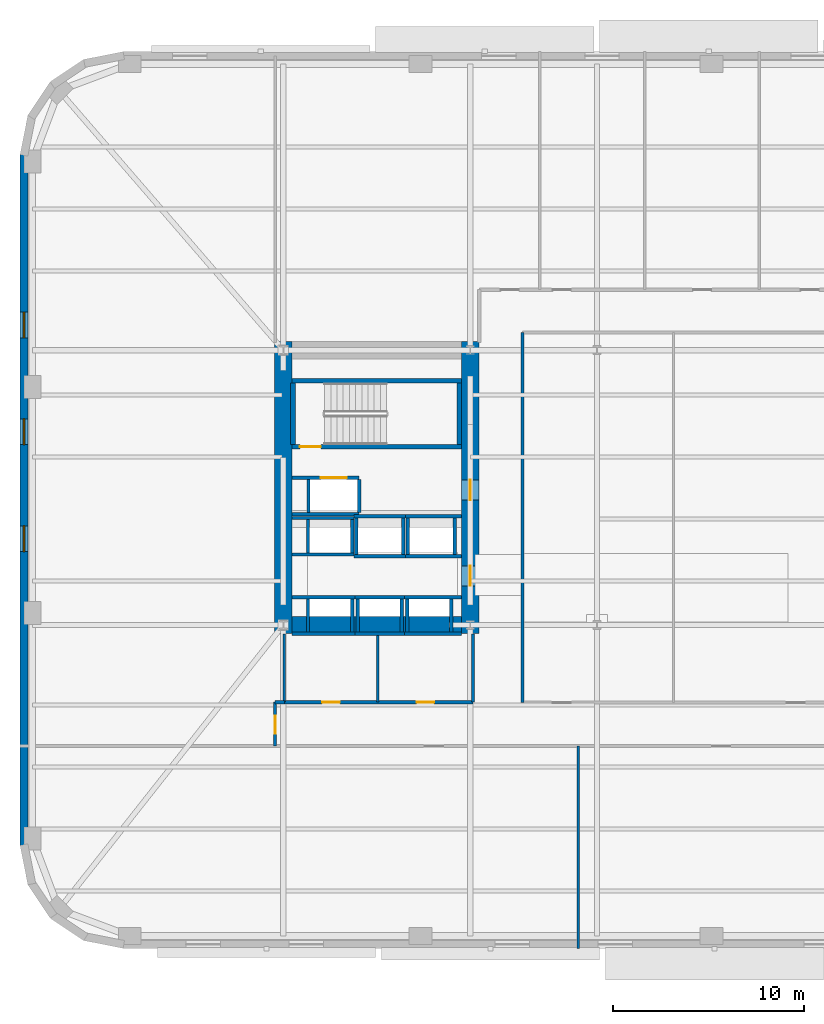
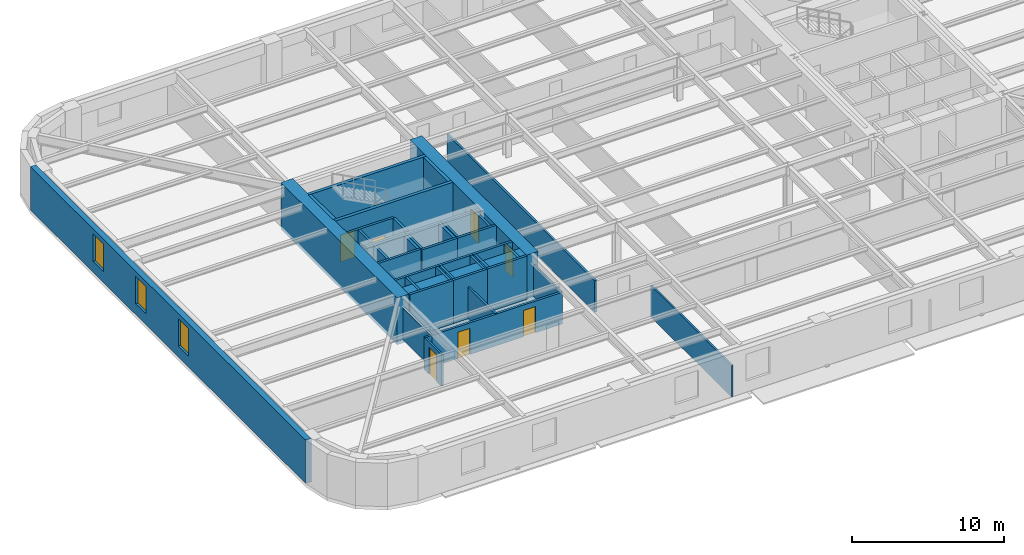
# One storey, part 4 of 14: 44 walls, 7 doors, 3 windows, 10 openings.
"""IFC4 building model written with IfcOpenShell, lengths in metres."""

from ifc_helpers import new_model, si_unit, direction, frame, frame_2d, origin, place, context, subcontext, project, spatial, rectangle, extrude, material, layer, layer_set, type_object, element, fill, save


model = new_model("IFC4")

# Units and contexts
model_context = context("Model", 3, precision=1e-05, world=origin(), true_north=direction((0.0, 1.0)))
body_context = subcontext(model_context, "Body", "Model", "MODEL_VIEW")
ifc_project = project(units=[si_unit("LENGTHUNIT", "METRE"), si_unit("AREAUNIT", "SQUARE_METRE"), si_unit("VOLUMEUNIT", "CUBIC_METRE"), si_unit("PLANEANGLEUNIT", "RADIAN"), si_unit("MASSUNIT", "GRAM", prefix="KILO")], contexts=[model_context])

# Site, building, storey
site_placement = place(None, origin())
site = spatial("IfcSite", under=ifc_project, at=site_placement, CompositionType="ELEMENT")
building_placement = place(site_placement, origin())
building = spatial("IfcBuilding", under=site, at=building_placement, Name="Kolvaren Arena Tower", CompositionType="ELEMENT")
storey_placement = place(building_placement, frame((0.0, 0.0, 53.25)))
storey = spatial("IfcBuildingStorey", under=building, at=storey_placement, Name="L10", CompositionType="ELEMENT", Elevation=53.25)

# Wall
ifc_material_1 = material(Name="Gypsum board acoustic assembly", Category="gypsum")
ifc_layer_1 = layer(ifc_material_1, 0.159912109375)
ifc_layer_set_1 = layer_set([ifc_layer_1], Name="Gypsum board acoustic assembly")
wall_type_1 = type_object("IfcWallType", Name="CORR-160", PredefinedType="PARTITIONING", material=ifc_layer_set_1)
wall_1_placement = place(storey_placement, frame((27.080078125, 15.3798828125, 0.0), z_axis=(0.0, 0.0, 1.0), x_axis=(0.0, 1.0, 0.0)))
element("IfcWall", 1, at=wall_1_placement, inside=storey, type_object=wall_type_1, Name="Interior Partition Wall (L10)", PredefinedType="PARTITIONING", context=body_context, shape_type="SweptSolid", body=[
    extrude(rectangle(XDim=19.400146484375, YDim=0.159912109375, at=frame_2d((9.7001953125, 0.0))), origin(), (0.0, 0.0, 1.0), 2.5400390625),
])

# Wall, opening, door
wall_2_placement = place(storey_placement, frame((14.1201171875, 13.10009765625, 0.0), z_axis=(0.0, 0.0, 1.0), x_axis=(0.0, 1.0, 0.0)))
wall_2 = element("IfcWall", 2, at=wall_2_placement, inside=storey, type_object=wall_type_1, Name="Interior Partition Wall (L10)", PredefinedType="PARTITIONING", context=body_context, shape_type="SweptSolid", body=[
    extrude(rectangle(XDim=2.2998046875, YDim=0.159912109375, at=frame_2d((1.14990234375, 0.0))), origin(), (0.0, 0.0, 1.0), 2.5400390625),
])
opening_1_placement = place(wall_2_placement, frame((0.64990234375, 0.0, 0.0)))
opening_1 = element("IfcOpeningElement", 3, at=opening_1_placement, cuts=wall_2, Name="Opening D05", PredefinedType="OPENING", context=body_context, shape_type="SweptSolid", body=[
    extrude(rectangle(XDim=0.949951171875, YDim=2.14990234375, at=frame_2d((0.47509765625, 1.074951171875))), frame((0.0, 0.08984375, 0.0), z_axis=(0.0, -1.0, 0.0), x_axis=(1.0, 0.0, 0.0)), (0.0, 0.0, 1.0), 0.179931640625),
])
ifc_material_2 = material(Name="Solid-core oak acoustic office door", Category="wood")
door_type_1 = type_object("IfcDoorType", Name="DOOR-OF-095", OperationType="NOTDEFINED", PredefinedType="DOOR", material=ifc_material_2)
door_1_placement = place(opening_1_placement, origin())
door_1 = element("IfcDoor", 4, at=door_1_placement, inside=storey, type_object=door_type_1, Name="West Wing Office Door (L10)", OperationType="SINGLE_SWING_LEFT", OverallHeight=2.14990234375, OverallWidth=0.949951171875, PredefinedType="DOOR", context=body_context, shape_type="SweptSolid", body=[
    extrude(rectangle(XDim=0.949951171875, YDim=2.14990234375, at=frame_2d((0.47509765625, 1.074951171875))), frame((0.0, 0.02490234375, 0.0), z_axis=(0.0, -1.0, 0.0), x_axis=(1.0, 0.0, 0.0)), (0.0, 0.0, 1.0), 0.050048828125),
])
fill(opening_1, door_1)

# Walls
wall_3_placement = place(storey_placement, frame((14.1201171875, 15.39990234375, 0.0), z_axis=(0.0, 0.0, 1.0), x_axis=(1.0, 0.0, 0.0)))
element("IfcWall", 5, at=wall_3_placement, inside=storey, type_object=wall_type_1, Name="Interior Partition Wall (L10)", PredefinedType="PARTITIONING", context=body_context, shape_type="SweptSolid", body=[
    extrude(rectangle(XDim=0.5, YDim=0.159912109375, at=frame_2d((0.25, 0.0))), origin(), (0.0, 0.0, 1.0), 2.5400390625),
])
ifc_material_3 = material(Name="Concrete 80 MPa", Category="concrete")
ifc_layer_2 = layer(ifc_material_3, 0.89990234375)
ifc_layer_set_2 = layer_set([ifc_layer_2], Name="Concrete 80 MPa")
wall_type_2 = type_object("IfcWallType", Name="CWALL-900", PredefinedType="SHEAR", material=ifc_layer_set_2)
wall_4_placement = place(storey_placement, frame((14.550048828125, 19.0, -0.27001953125), z_axis=(0.0, 0.0, 1.0), x_axis=(0.0, 1.0, 0.0)))
element("IfcWall", 6, at=wall_4_placement, inside=storey, type_object=wall_type_2, Name="Core Shear Wall WC-WEST (L10)", PredefinedType="SHEAR", context=body_context, shape_type="SweptSolid", body=[
    extrude(rectangle(XDim=15.300048828125, YDim=0.89990234375, at=frame_2d((7.64990234375, 0.0))), origin(), (0.0, 0.0, 1.0), 3.75),
])

# Wall, openings, doors
wall_5_placement = place(storey_placement, frame((24.35009765625, 19.0, -0.27001953125), z_axis=(0.0, 0.0, 1.0), x_axis=(0.0, 1.0, 0.0)))
wall_5 = element("IfcWall", 7, at=wall_5_placement, inside=storey, type_object=wall_type_2, Name="Core Shear Wall WC-EAST (L10)", PredefinedType="SHEAR", context=body_context, shape_type="SweptSolid", body=[
    extrude(rectangle(XDim=15.300048828125, YDim=0.89990234375, at=frame_2d((7.64990234375, 0.0))), origin(), (0.0, 0.0, 1.0), 3.75),
])
opening_2_placement = place(wall_5_placement, frame((2.5, 0.0, 0.27001953125)))
opening_2 = element("IfcOpeningElement", 8, at=opening_2_placement, cuts=wall_5, Name="Opening D04", PredefinedType="OPENING", context=body_context, shape_type="SweptSolid", body=[
    extrude(rectangle(XDim=1.050048828125, YDim=2.14990234375, at=frame_2d((0.52490234375, 1.074951171875))), frame((0.0, 0.4599609375, 0.0), z_axis=(0.0, -1.0, 0.0), x_axis=(1.0, 0.0, 0.0)), (0.0, 0.0, 1.0), 0.919921875),
])
opening_3_placement = place(wall_5_placement, frame((7.0, 0.0, 0.27001953125)))
opening_3 = element("IfcOpeningElement", 9, at=opening_3_placement, cuts=wall_5, Name="Opening D04", PredefinedType="OPENING", context=body_context, shape_type="SweptSolid", body=[
    extrude(rectangle(XDim=1.050048828125, YDim=2.14990234375, at=frame_2d((0.52490234375, 1.074951171875))), frame((0.0, 0.4599609375, 0.0), z_axis=(0.0, -1.0, 0.0), x_axis=(1.0, 0.0, 0.0)), (0.0, 0.0, 1.0), 0.919921875),
])
ifc_material_4 = material(Name="Fire-rated steel lobby door", Category="steel")
door_type_2 = type_object("IfcDoorType", Name="DOOR-FF-105", OperationType="NOTDEFINED", PredefinedType="DOOR", material=ifc_material_4)
door_2_placement = place(opening_2_placement, origin())
door_2 = element("IfcDoor", 10, at=door_2_placement, inside=storey, type_object=door_type_2, Name="West Lift Lobby Fire Door (L10)", OperationType="SINGLE_SWING_LEFT", OverallHeight=2.14990234375, OverallWidth=1.050048828125, PredefinedType="DOOR", context=body_context, shape_type="SweptSolid", body=[
    extrude(rectangle(XDim=1.050048828125, YDim=2.14990234375, at=frame_2d((0.52490234375, 1.074951171875))), frame((0.0, 0.02490234375, 0.0), z_axis=(0.0, -1.0, 0.0), x_axis=(1.0, 0.0, 0.0)), (0.0, 0.0, 1.0), 0.050048828125),
])
fill(opening_2, door_2)
door_3_placement = place(opening_3_placement, origin())
door_3 = element("IfcDoor", 11, at=door_3_placement, inside=storey, type_object=door_type_2, Name="West Firefighter Vestibule Door (L10)", OperationType="SINGLE_SWING_RIGHT", OverallHeight=2.14990234375, OverallWidth=1.050048828125, PredefinedType="DOOR", context=body_context, shape_type="SweptSolid", body=[
    extrude(rectangle(XDim=1.050048828125, YDim=2.14990234375, at=frame_2d((0.52490234375, 1.074951171875))), frame((0.0, 0.02490234375, 0.0), z_axis=(0.0, -1.0, 0.0), x_axis=(1.0, 0.0, 0.0)), (0.0, 0.0, 1.0), 0.050048828125),
])
fill(opening_3, door_3)

# Wall
wall_6_placement = place(storey_placement, frame((15.0, 19.449951171875, -0.27001953125), z_axis=(0.0, 0.0, 1.0), x_axis=(1.0, 0.0, 0.0)))
element("IfcWall", 12, at=wall_6_placement, inside=storey, type_object=wall_type_2, Name="Core Shear Wall WC-SOUTH (L10)", PredefinedType="SHEAR", context=body_context, shape_type="SweptSolid", body=[
    extrude(rectangle(XDim=8.89990234375, YDim=0.89990234375, at=frame_2d((4.449951171875, 0.0))), origin(), (0.0, 0.0, 1.0), 3.75),
])

# Wall, openings, windows
ifc_material_5 = material(Name="Precast concrete C50/60", Category="concrete")
ifc_layer_3 = layer(ifc_material_5, 0.419921875)
ifc_layer_set_3 = layer_set([ifc_layer_3], Name="Precast concrete C50/60")
wall_type_3 = type_object("IfcWallType", Name="EXT-PIER1", PredefinedType="SOLIDWALL", material=ifc_layer_set_3)
wall_7_placement = place(storey_placement, frame((0.9599609375, 7.89990234375, 0.0), z_axis=(0.0, 0.0, 1.0), x_axis=(0.0, 1.0, 0.0)))
wall_7 = element("IfcWall", 13, at=wall_7_placement, inside=storey, type_object=wall_type_3, Name="Exterior Precast Masonry-Frame Wall (L10)", PredefinedType="SOLIDWALL", context=body_context, shape_type="SweptSolid", body=[
    extrude(rectangle(XDim=36.2001953125, YDim=0.419921875, at=frame_2d((18.10009765625, 0.0))), origin(), (0.0, 0.0, 1.0), 3.47998046875),
])
opening_4_placement = place(wall_7_placement, frame((15.39990234375, 0.0, 0.8798828125)))
opening_4 = element("IfcOpeningElement", 14, at=opening_4_placement, cuts=wall_7, Name="Opening W04", PredefinedType="OPENING", context=body_context, shape_type="SweptSolid", body=[
    extrude(rectangle(XDim=1.35009765625, YDim=2.199951171875, at=frame_2d((0.675048828125, 1.10009765625))), frame((0.0, 0.219970703125, 0.0), z_axis=(0.0, -1.0, 0.0), x_axis=(1.0, 0.0, 0.0)), (0.0, 0.0, 1.0), 0.43994140625),
])
opening_5_placement = place(wall_7_placement, frame((21.0, 0.0, 0.8798828125)))
opening_5 = element("IfcOpeningElement", 15, at=opening_5_placement, cuts=wall_7, Name="Opening W04", PredefinedType="OPENING", context=body_context, shape_type="SweptSolid", body=[
    extrude(rectangle(XDim=1.35009765625, YDim=2.199951171875, at=frame_2d((0.675048828125, 1.10009765625))), frame((0.0, 0.219970703125, 0.0), z_axis=(0.0, -1.0, 0.0), x_axis=(1.0, 0.0, 0.0)), (0.0, 0.0, 1.0), 0.43994140625),
])
opening_6_placement = place(wall_7_placement, frame((26.60009765625, 0.0, 0.8798828125)))
opening_6 = element("IfcOpeningElement", 16, at=opening_6_placement, cuts=wall_7, Name="Opening W04", PredefinedType="OPENING", context=body_context, shape_type="SweptSolid", body=[
    extrude(rectangle(XDim=1.35009765625, YDim=2.199951171875, at=frame_2d((0.675048828125, 1.10009765625))), frame((0.0, 0.219970703125, 0.0), z_axis=(0.0, -1.0, 0.0), x_axis=(1.0, 0.0, 0.0)), (0.0, 0.0, 1.0), 0.43994140625),
])
ifc_material_6 = material(Name="Triple-glazed curved-facet corner window", Category="glass")
window_type = type_object("IfcWindowType", Name="WIN-CRN-A", PartitioningType="SINGLE_PANEL", PredefinedType="WINDOW", material=ifc_material_6)
window_1_placement = place(opening_4_placement, origin())
window_1 = element("IfcWindow", 17, at=window_1_placement, inside=storey, type_object=window_type, Name="End-Wall Punched Window (L10)", OverallHeight=2.199951171875, OverallWidth=1.35009765625, PartitioningType="SINGLE_PANEL", PredefinedType="WINDOW", context=body_context, shape_type="SweptSolid", body=[
    extrude(rectangle(XDim=1.35009765625, YDim=2.199951171875, at=frame_2d((0.675048828125, 1.10009765625))), frame((0.0, 0.030029296875, 0.0), z_axis=(0.0, -1.0, 0.0), x_axis=(1.0, 0.0, 0.0)), (0.0, 0.0, 1.0), 0.06005859375),
])
fill(opening_4, window_1)
window_2_placement = place(opening_5_placement, origin())
window_2 = element("IfcWindow", 18, at=window_2_placement, inside=storey, type_object=window_type, Name="End-Wall Punched Window (L10)", OverallHeight=2.199951171875, OverallWidth=1.35009765625, PartitioningType="SINGLE_PANEL", PredefinedType="WINDOW", context=body_context, shape_type="SweptSolid", body=[
    extrude(rectangle(XDim=1.35009765625, YDim=2.199951171875, at=frame_2d((0.675048828125, 1.10009765625))), frame((0.0, 0.030029296875, 0.0), z_axis=(0.0, -1.0, 0.0), x_axis=(1.0, 0.0, 0.0)), (0.0, 0.0, 1.0), 0.06005859375),
])
fill(opening_5, window_2)
window_3_placement = place(opening_6_placement, origin())
window_3 = element("IfcWindow", 19, at=window_3_placement, inside=storey, type_object=window_type, Name="End-Wall Punched Window (L10)", OverallHeight=2.199951171875, OverallWidth=1.35009765625, PartitioningType="SINGLE_PANEL", PredefinedType="WINDOW", context=body_context, shape_type="SweptSolid", body=[
    extrude(rectangle(XDim=1.35009765625, YDim=2.199951171875, at=frame_2d((0.675048828125, 1.10009765625))), frame((0.0, 0.030029296875, 0.0), z_axis=(0.0, -1.0, 0.0), x_axis=(1.0, 0.0, 0.0)), (0.0, 0.0, 1.0), 0.06005859375),
])
fill(opening_6, window_3)

# Wall
ifc_material_7 = material(Name="Gypsum board partition assembly", Category="gypsum")
ifc_layer_4 = layer(ifc_material_7, 0.135009765625)
ifc_layer_set_4 = layer_set([ifc_layer_4], Name="Gypsum board partition assembly")
wall_type_4 = type_object("IfcWallType", Name="PART-135", PredefinedType="PARTITIONING", material=ifc_layer_set_4)
wall_8_placement = place(storey_placement, frame((30.0, 2.5, 0.0), z_axis=(0.0, 0.0, 1.0), x_axis=(0.0, 1.0, 0.0)))
element("IfcWall", 20, at=wall_8_placement, inside=storey, type_object=wall_type_4, Name="Interior Partition Wall (L10)", PredefinedType="PARTITIONING", context=body_context, shape_type="SweptSolid", body=[
    extrude(rectangle(XDim=10.60009765625, YDim=0.135009765625, at=frame_2d((5.300048828125, 0.0))), origin(), (0.0, 0.0, 1.0), 2.5400390625),
])

# Wall, opening, door
ifc_material_8 = material(Name="Concrete 45 MPa", Category="concrete")
ifc_layer_5 = layer(ifc_material_8, 0.25)
ifc_layer_set_5 = layer_set([ifc_layer_5], Name="Concrete 45 MPa")
wall_type_5 = type_object("IfcWallType", Name="SHAFT-250", PredefinedType="SOLIDWALL", material=ifc_layer_set_5)
wall_9_placement = place(storey_placement, frame((23.89990234375, 28.780029296875, 0.0), z_axis=(0.0, 0.0, 1.0), x_axis=(-1.0, 0.0, 0.0)))
wall_9 = element("IfcWall", 21, at=wall_9_placement, inside=storey, type_object=wall_type_5, Name="Core Shaft Wall (L10)", PredefinedType="SOLIDWALL", context=body_context, shape_type="SweptSolid", body=[
    extrude(rectangle(XDim=8.89990234375, YDim=0.239990234375, at=frame_2d((4.449951171875, 0.0))), origin(), (0.0, 0.0, 1.0), 3.47998046875),
])
opening_7_placement = place(wall_9_placement, frame((7.3798828125, 0.0, 0.0)))
opening_7 = element("IfcOpeningElement", 22, at=opening_7_placement, cuts=wall_9, Name="Opening D03", PredefinedType="OPENING", context=body_context, shape_type="SweptSolid", body=[
    extrude(rectangle(XDim=1.10009765625, YDim=2.14990234375, at=frame_2d((0.550048828125, 1.074951171875))), frame((0.0, 0.1298828125, 0.0), z_axis=(0.0, -1.0, 0.0), x_axis=(1.0, 0.0, 0.0)), (0.0, 0.0, 1.0), 0.260009765625),
])
ifc_material_9 = material(Name="Fire-rated steel exit stair door", Category="steel")
door_type_3 = type_object("IfcDoorType", Name="DOOR-ST-110", OperationType="NOTDEFINED", PredefinedType="DOOR", material=ifc_material_9)
door_4_placement = place(opening_7_placement, origin())
door_4 = element("IfcDoor", 23, at=door_4_placement, inside=storey, type_object=door_type_3, Name="Stair ST-W1 Fire Door (L10)", OperationType="SINGLE_SWING_RIGHT", OverallHeight=2.14990234375, OverallWidth=1.10009765625, PredefinedType="DOOR", context=body_context, shape_type="SweptSolid", body=[
    extrude(rectangle(XDim=1.10009765625, YDim=2.14990234375, at=frame_2d((0.550048828125, 1.074951171875))), frame((0.0, 0.02490234375, 0.0), z_axis=(0.0, -1.0, 0.0), x_axis=(1.0, 0.0, 0.0)), (0.0, 0.0, 1.0), 0.050048828125),
])
fill(opening_7, door_4)

# Walls
wall_10_placement = place(storey_placement, frame((15.0, 32.25, 0.0), z_axis=(0.0, 0.0, 1.0), x_axis=(1.0, 0.0, 0.0)))
element("IfcWall", 24, at=wall_10_placement, inside=storey, type_object=wall_type_5, Name="Core Shaft Wall (L10)", PredefinedType="SOLIDWALL", context=body_context, shape_type="SweptSolid", body=[
    extrude(rectangle(XDim=8.89990234375, YDim=0.239990234375, at=frame_2d((4.449951171875, 0.0))), origin(), (0.0, 0.0, 1.0), 3.47998046875),
])
for number, where, z_axis, x_axis, name in (
    (25, (15.06005859375, 28.89990234375, 0.0), (0.0, 0.0, 1.0), (0.0, 1.0, 0.0), "Core Shaft Wall (L10)"),
    (26, (23.780029296875, 28.89990234375, 0.0), (0.0, 0.0, 1.0), (0.0, 1.0, 0.0), "Core Shaft Wall (L10)"),
):
    element("IfcWall", number, at=place(storey_placement, frame(where, z_axis=z_axis, x_axis=x_axis)), inside=storey, type_object=wall_type_5, Name=name, PredefinedType="SOLIDWALL", context=body_context, shape_type="SweptSolid", body=[
        extrude(rectangle(XDim=3.22998046875, YDim=0.239990234375, at=frame_2d((1.614990234375, 0.0))), origin(), (0.0, 0.0, 1.0), 3.47998046875),
    ])
for number, where, z_axis, x_axis, name in (
    (27, (15.0, 20.905029296875, 0.0), (0.0, 0.0, 1.0), (1.0, 0.0, 0.0), "Core Shaft Wall (L10)"),
    (28, (15.0, 18.9951171875, 0.0), (0.0, 0.0, 1.0), (1.0, 0.0, 0.0), "Core Shaft Wall (L10)"),
):
    element("IfcWall", number, at=place(storey_placement, frame(where, z_axis=z_axis, x_axis=x_axis)), inside=storey, type_object=wall_type_5, Name=name, PredefinedType="SOLIDWALL", context=body_context, shape_type="SweptSolid", body=[
        extrude(rectangle(XDim=3.300048828125, YDim=0.179931640625, at=frame_2d((1.64990234375, 0.0))), origin(), (0.0, 0.0, 1.0), 3.47998046875),
    ])
for number, where, z_axis, x_axis, name in (
    (29, (15.844970703125, 19.0849609375, 0.0), (0.0, 0.0, 1.0), (0.0, 1.0, 0.0), "Core Shaft Wall (L10)"),
    (30, (18.155029296875, 19.0849609375, 0.0), (0.0, 0.0, 1.0), (0.0, 1.0, 0.0), "Core Shaft Wall (L10)"),
):
    element("IfcWall", number, at=place(storey_placement, frame(where, z_axis=z_axis, x_axis=x_axis)), inside=storey, type_object=wall_type_5, Name=name, PredefinedType="SOLIDWALL", context=body_context, shape_type="SweptSolid", body=[
        extrude(rectangle(XDim=1.72998046875, YDim=0.179931640625, at=frame_2d((0.864990234375, 0.0))), origin(), (0.0, 0.0, 1.0), 3.47998046875),
    ])
for number, where, z_axis, x_axis, name in (
    (31, (18.300048828125, 20.905029296875, 0.0), (0.0, 0.0, 1.0), (1.0, 0.0, 0.0), "Core Shaft Wall (L10)"),
    (32, (18.300048828125, 18.9951171875, 0.0), (0.0, 0.0, 1.0), (1.0, 0.0, 0.0), "Core Shaft Wall (L10)"),
):
    element("IfcWall", number, at=place(storey_placement, frame(where, z_axis=z_axis, x_axis=x_axis)), inside=storey, type_object=wall_type_5, Name=name, PredefinedType="SOLIDWALL", context=body_context, shape_type="SweptSolid", body=[
        extrude(rectangle(XDim=2.599853515625, YDim=0.179931640625, at=frame_2d((1.2998046875, 0.0))), origin(), (0.0, 0.0, 1.0), 3.47998046875),
    ])
for number, where, z_axis, x_axis, name in (
    (33, (18.445068359375, 19.0849609375, 0.0), (0.0, 0.0, 1.0), (0.0, 1.0, 0.0), "Core Shaft Wall (L10)"),
    (34, (20.7548828125, 19.0849609375, 0.0), (0.0, 0.0, 1.0), (0.0, 1.0, 0.0), "Core Shaft Wall (L10)"),
):
    element("IfcWall", number, at=place(storey_placement, frame(where, z_axis=z_axis, x_axis=x_axis)), inside=storey, type_object=wall_type_5, Name=name, PredefinedType="SOLIDWALL", context=body_context, shape_type="SweptSolid", body=[
        extrude(rectangle(XDim=1.72998046875, YDim=0.179931640625, at=frame_2d((0.864990234375, 0.0))), origin(), (0.0, 0.0, 1.0), 3.47998046875),
    ])
for number, where, z_axis, x_axis, name in (
    (35, (20.89990234375, 20.905029296875, 0.0), (0.0, 0.0, 1.0), (1.0, 0.0, 0.0), "Core Shaft Wall (L10)"),
    (36, (20.89990234375, 18.9951171875, 0.0), (0.0, 0.0, 1.0), (1.0, 0.0, 0.0), "Core Shaft Wall (L10)"),
):
    element("IfcWall", number, at=place(storey_placement, frame(where, z_axis=z_axis, x_axis=x_axis)), inside=storey, type_object=wall_type_5, Name=name, PredefinedType="SOLIDWALL", context=body_context, shape_type="SweptSolid", body=[
        extrude(rectangle(XDim=3.0, YDim=0.179931640625, at=frame_2d((1.5, 0.0))), origin(), (0.0, 0.0, 1.0), 3.47998046875),
    ])
for number, where, z_axis, x_axis, name in (
    (37, (21.044921875, 19.0849609375, 0.0), (0.0, 0.0, 1.0), (0.0, 1.0, 0.0), "Core Shaft Wall (L10)"),
    (38, (23.35498046875, 19.0849609375, 0.0), (0.0, 0.0, 1.0), (0.0, 1.0, 0.0), "Core Shaft Wall (L10)"),
):
    element("IfcWall", number, at=place(storey_placement, frame(where, z_axis=z_axis, x_axis=x_axis)), inside=storey, type_object=wall_type_5, Name=name, PredefinedType="SOLIDWALL", context=body_context, shape_type="SweptSolid", body=[
        extrude(rectangle(XDim=1.72998046875, YDim=0.179931640625, at=frame_2d((0.864990234375, 0.0))), origin(), (0.0, 0.0, 1.0), 3.47998046875),
    ])
for number, where, z_axis, x_axis, name in (
    (39, (15.0, 25.054931640625, 0.0), (0.0, 0.0, 1.0), (1.0, 0.0, 0.0), "Core Shaft Wall (L10)"),
    (40, (15.0, 23.14501953125, 0.0), (0.0, 0.0, 1.0), (1.0, 0.0, 0.0), "Core Shaft Wall (L10)"),
):
    element("IfcWall", number, at=place(storey_placement, frame(where, z_axis=z_axis, x_axis=x_axis)), inside=storey, type_object=wall_type_5, Name=name, PredefinedType="SOLIDWALL", context=body_context, shape_type="SweptSolid", body=[
        extrude(rectangle(XDim=3.262451171875, YDim=0.179931640625, at=frame_2d((1.63134765625, 0.0))), origin(), (0.0, 0.0, 1.0), 3.47998046875),
    ])
for number, where, z_axis, x_axis, name in (
    (41, (15.844970703125, 23.235107421875, 0.0), (0.0, 0.0, 1.0), (0.0, 1.0, 0.0), "Core Shaft Wall (L10)"),
    (42, (18.155029296875, 23.235107421875, 0.0), (0.0, 0.0, 1.0), (0.0, 1.0, 0.0), "Core Shaft Wall (L10)"),
):
    element("IfcWall", number, at=place(storey_placement, frame(where, z_axis=z_axis, x_axis=x_axis)), inside=storey, type_object=wall_type_5, Name=name, PredefinedType="SOLIDWALL", context=body_context, shape_type="SweptSolid", body=[
        extrude(rectangle(XDim=1.72998046875, YDim=0.179931640625, at=frame_2d((0.864990234375, 0.0))), origin(), (0.0, 0.0, 1.0), 3.47998046875),
    ])
for number, where, z_axis, x_axis, name in (
    (43, (18.262451171875, 25.155029296875, 0.0), (0.0, 0.0, 1.0), (1.0, 0.0, 0.0), "Core Shaft Wall (L10)"),
    (44, (18.262451171875, 23.044921875, 0.0), (0.0, 0.0, 1.0), (1.0, 0.0, 0.0), "Core Shaft Wall (L10)"),
):
    element("IfcWall", number, at=place(storey_placement, frame(where, z_axis=z_axis, x_axis=x_axis)), inside=storey, type_object=wall_type_5, Name=name, PredefinedType="SOLIDWALL", context=body_context, shape_type="SweptSolid", body=[
        extrude(rectangle(XDim=2.6875, YDim=0.179931640625, at=frame_2d((1.34375, 0.0))), origin(), (0.0, 0.0, 1.0), 3.47998046875),
    ])
for number, where, z_axis, x_axis, name in (
    (45, (18.3701171875, 23.135009765625, 0.0), (0.0, 0.0, 1.0), (0.0, 1.0, 0.0), "Core Shaft Wall (L10)"),
    (46, (20.830078125, 23.135009765625, 0.0), (0.0, 0.0, 1.0), (0.0, 1.0, 0.0), "Core Shaft Wall (L10)"),
):
    element("IfcWall", number, at=place(storey_placement, frame(where, z_axis=z_axis, x_axis=x_axis)), inside=storey, type_object=wall_type_5, Name=name, PredefinedType="SOLIDWALL", context=body_context, shape_type="SweptSolid", body=[
        extrude(rectangle(XDim=1.929931640625, YDim=0.179931640625, at=frame_2d((0.96484375, 0.0))), origin(), (0.0, 0.0, 1.0), 3.47998046875),
    ])
for number, where, z_axis, x_axis, name in (
    (47, (20.949951171875, 25.155029296875, 0.0), (0.0, 0.0, 1.0), (1.0, 0.0, 0.0), "Core Shaft Wall (L10)"),
    (48, (20.949951171875, 23.044921875, 0.0), (0.0, 0.0, 1.0), (1.0, 0.0, 0.0), "Core Shaft Wall (L10)"),
):
    element("IfcWall", number, at=place(storey_placement, frame(where, z_axis=z_axis, x_axis=x_axis)), inside=storey, type_object=wall_type_5, Name=name, PredefinedType="SOLIDWALL", context=body_context, shape_type="SweptSolid", body=[
        extrude(rectangle(XDim=2.949951171875, YDim=0.179931640625, at=frame_2d((1.47509765625, 0.0))), origin(), (0.0, 0.0, 1.0), 3.47998046875),
    ])
for number, where, z_axis, x_axis, name in (
    (49, (21.070068359375, 23.135009765625, 0.0), (0.0, 0.0, 1.0), (0.0, 1.0, 0.0), "Core Shaft Wall (L10)"),
    (50, (23.530029296875, 23.135009765625, 0.0), (0.0, 0.0, 1.0), (0.0, 1.0, 0.0), "Core Shaft Wall (L10)"),
):
    element("IfcWall", number, at=place(storey_placement, frame(where, z_axis=z_axis, x_axis=x_axis)), inside=storey, type_object=wall_type_5, Name=name, PredefinedType="SOLIDWALL", context=body_context, shape_type="SweptSolid", body=[
        extrude(rectangle(XDim=1.929931640625, YDim=0.179931640625, at=frame_2d((0.96484375, 0.0))), origin(), (0.0, 0.0, 1.0), 3.47998046875),
    ])

# Wall, opening, door
wall_11_placement = place(storey_placement, frame((15.0, 27.155029296875, 0.0), z_axis=(0.0, 0.0, 1.0), x_axis=(1.0, 0.0, 0.0)))
wall_11 = element("IfcWall", 51, at=wall_11_placement, inside=storey, type_object=wall_type_5, Name="Core Shaft Wall (L10)", PredefinedType="SOLIDWALL", context=body_context, shape_type="SweptSolid", body=[
    extrude(rectangle(XDim=3.530029296875, YDim=0.179931640625, at=frame_2d((1.76513671875, 0.0))), origin(), (0.0, 0.0, 1.0), 3.47998046875),
])
opening_8_placement = place(wall_11_placement, frame((1.52490234375, 0.0, 0.0)))
opening_8 = element("IfcOpeningElement", 52, at=opening_8_placement, cuts=wall_11, Name="Opening LD2", PredefinedType="OPENING", context=body_context, shape_type="SweptSolid", body=[
    extrude(rectangle(XDim=1.35009765625, YDim=2.300048828125, at=frame_2d((0.675048828125, 1.14990234375))), frame((0.0, 0.099853515625, 0.0), z_axis=(0.0, -1.0, 0.0), x_axis=(1.0, 0.0, 0.0)), (0.0, 0.0, 1.0), 0.199951171875),
])
ifc_material_10 = material(Name="Stainless steel firefighter lift landing door", Category="steel")
door_type_4 = type_object("IfcDoorType", Name="DOOR-LD-135", OperationType="DOUBLE_DOOR_SLIDING", PredefinedType="DOOR", material=ifc_material_10)
door_5_placement = place(opening_8_placement, origin())
door_5 = element("IfcDoor", 53, at=door_5_placement, inside=storey, type_object=door_type_4, Name="Firefighter Lift FF-W1 Landing Door (L10)", OperationType="DOUBLE_DOOR_SLIDING", OverallHeight=2.300048828125, OverallWidth=1.35009765625, PredefinedType="DOOR", context=body_context, shape_type="SweptSolid", body=[
    extrude(rectangle(XDim=1.35009765625, YDim=2.300048828125, at=frame_2d((0.675048828125, 1.14990234375))), frame((0.0, 0.02490234375, 0.0), z_axis=(0.0, -1.0, 0.0), x_axis=(1.0, 0.0, 0.0)), (0.0, 0.0, 1.0), 0.050048828125),
])
fill(opening_8, door_5)

# Walls
wall_12_placement = place(storey_placement, frame((15.0, 25.2451171875, 0.0), z_axis=(0.0, 0.0, 1.0), x_axis=(1.0, 0.0, 0.0)))
element("IfcWall", 54, at=wall_12_placement, inside=storey, type_object=wall_type_5, Name="Core Shaft Wall (L10)", PredefinedType="SOLIDWALL", context=body_context, shape_type="SweptSolid", body=[
    extrude(rectangle(XDim=3.530029296875, YDim=0.179931640625, at=frame_2d((1.76513671875, 0.0))), origin(), (0.0, 0.0, 1.0), 3.47998046875),
])
for number, where, z_axis, x_axis, name in (
    (55, (15.8701171875, 25.3349609375, 0.0), (0.0, 0.0, 1.0), (0.0, 1.0, 0.0), "Core Shaft Wall (L10)"),
    (56, (18.530029296875, 25.3349609375, 0.0), (0.0, 0.0, 1.0), (0.0, 1.0, 0.0), "Core Shaft Wall (L10)"),
):
    element("IfcWall", number, at=place(storey_placement, frame(where, z_axis=z_axis, x_axis=x_axis)), inside=storey, type_object=wall_type_5, Name=name, PredefinedType="SOLIDWALL", context=body_context, shape_type="SweptSolid", body=[
        extrude(rectangle(XDim=1.72998046875, YDim=0.179931640625, at=frame_2d((0.864990234375, 0.0))), origin(), (0.0, 0.0, 1.0), 3.47998046875),
    ])
ifc_material_11 = material(Name="Moisture-resistant gypsum assembly", Category="gypsum")
ifc_layer_6 = layer(ifc_material_11, 0.14990234375)
ifc_layer_set_6 = layer_set([ifc_layer_6], Name="Moisture-resistant gypsum assembly")
wall_type_6 = type_object("IfcWallType", Name="WETW-150", PredefinedType="PARTITIONING", material=ifc_layer_set_6)
wall_13_placement = place(storey_placement, frame((19.5, 15.39990234375, 0.0), z_axis=(0.0, 0.0, 1.0), x_axis=(0.0, 1.0, 0.0)))
element("IfcWall", 57, at=wall_13_placement, inside=storey, type_object=wall_type_6, Name="Interior Partition Wall (L10)", PredefinedType="PARTITIONING", context=body_context, shape_type="SweptSolid", body=[
    extrude(rectangle(XDim=3.580078125, YDim=0.14990234375, at=frame_2d((1.7900390625, 0.0))), origin(), (0.0, 0.0, 1.0), 2.5400390625),
])

# Wall, openings, doors
wall_14_placement = place(storey_placement, frame((14.60009765625, 15.39990234375, 0.0), z_axis=(0.0, 0.0, 1.0), x_axis=(1.0, 0.0, 0.0)))
wall_14 = element("IfcWall", 58, at=wall_14_placement, inside=storey, type_object=wall_type_6, Name="Interior Partition Wall (L10)", PredefinedType="PARTITIONING", context=body_context, shape_type="SweptSolid", body=[
    extrude(rectangle(XDim=9.89990234375, YDim=0.179931640625, at=frame_2d((4.949951171875, 0.0))), origin(), (0.0, 0.0, 1.0), 2.5400390625),
])
opening_9_placement = place(wall_14_placement, frame((1.989990234375, 0.0, 0.0)))
opening_9 = element("IfcOpeningElement", 59, at=opening_9_placement, cuts=wall_14, Name="Opening D07", PredefinedType="OPENING", context=body_context, shape_type="SweptSolid", body=[
    extrude(rectangle(XDim=0.919921875, YDim=2.10009765625, at=frame_2d((0.4599609375, 1.050048828125))), frame((0.0, 0.099853515625, 0.0), z_axis=(0.0, -1.0, 0.0), x_axis=(1.0, 0.0, 0.0)), (0.0, 0.0, 1.0), 0.199951171875),
])
opening_10_placement = place(wall_14_placement, frame((6.93994140625, 0.0, 0.0)))
opening_10 = element("IfcOpeningElement", 60, at=opening_10_placement, cuts=wall_14, Name="Opening D07", PredefinedType="OPENING", context=body_context, shape_type="SweptSolid", body=[
    extrude(rectangle(XDim=0.919921875, YDim=2.10009765625, at=frame_2d((0.4599609375, 1.050048828125))), frame((0.0, 0.099853515625, 0.0), z_axis=(0.0, -1.0, 0.0), x_axis=(1.0, 0.0, 0.0)), (0.0, 0.0, 1.0), 0.199951171875),
])
ifc_material_12 = material(Name="Laminate universal washroom door", Category="wood")
door_type_5 = type_object("IfcDoorType", Name="DOOR-WC-092", OperationType="NOTDEFINED", PredefinedType="DOOR", material=ifc_material_12)
door_6_placement = place(opening_9_placement, origin())
door_6 = element("IfcDoor", 61, at=door_6_placement, inside=storey, type_object=door_type_5, Name="Universal Barrier-Free Washroom Door (L10)", OperationType="SINGLE_SWING_RIGHT", OverallHeight=2.10009765625, OverallWidth=0.919921875, PredefinedType="DOOR", context=body_context, shape_type="SweptSolid", body=[
    extrude(rectangle(XDim=0.919921875, YDim=2.10009765625, at=frame_2d((0.4599609375, 1.050048828125))), frame((0.0, 0.02490234375, 0.0), z_axis=(0.0, -1.0, 0.0), x_axis=(1.0, 0.0, 0.0)), (0.0, 0.0, 1.0), 0.050048828125),
])
fill(opening_9, door_6)
door_7_placement = place(opening_10_placement, origin())
door_7 = element("IfcDoor", 62, at=door_7_placement, inside=storey, type_object=door_type_5, Name="Gender-Neutral Washroom Door (L10)", OperationType="SINGLE_SWING_LEFT", OverallHeight=2.10009765625, OverallWidth=0.919921875, PredefinedType="DOOR", context=body_context, shape_type="SweptSolid", body=[
    extrude(rectangle(XDim=0.919921875, YDim=2.10009765625, at=frame_2d((0.4599609375, 1.050048828125))), frame((0.0, 0.02490234375, 0.0), z_axis=(0.0, -1.0, 0.0), x_axis=(1.0, 0.0, 0.0)), (0.0, 0.0, 1.0), 0.050048828125),
])
fill(opening_10, door_7)

# Walls
for number, where, z_axis, x_axis, name in (
    (63, (14.60009765625, 15.39990234375, 0.0), (0.0, 0.0, 1.0), (0.0, 1.0, 0.0), "Interior Partition Wall (L10)"),
    (64, (24.5, 15.39990234375, 0.0), (0.0, 0.0, 1.0), (0.0, 1.0, 0.0), "Interior Partition Wall (L10)"),
):
    element("IfcWall", number, at=place(storey_placement, frame(where, z_axis=z_axis, x_axis=x_axis)), inside=storey, type_object=wall_type_6, Name=name, PredefinedType="PARTITIONING", context=body_context, shape_type="SweptSolid", body=[
        extrude(rectangle(XDim=3.580078125, YDim=0.14990234375, at=frame_2d((1.7900390625, 0.0))), origin(), (0.0, 0.0, 1.0), 2.5400390625),
    ])

save(model, "model.ifc")
